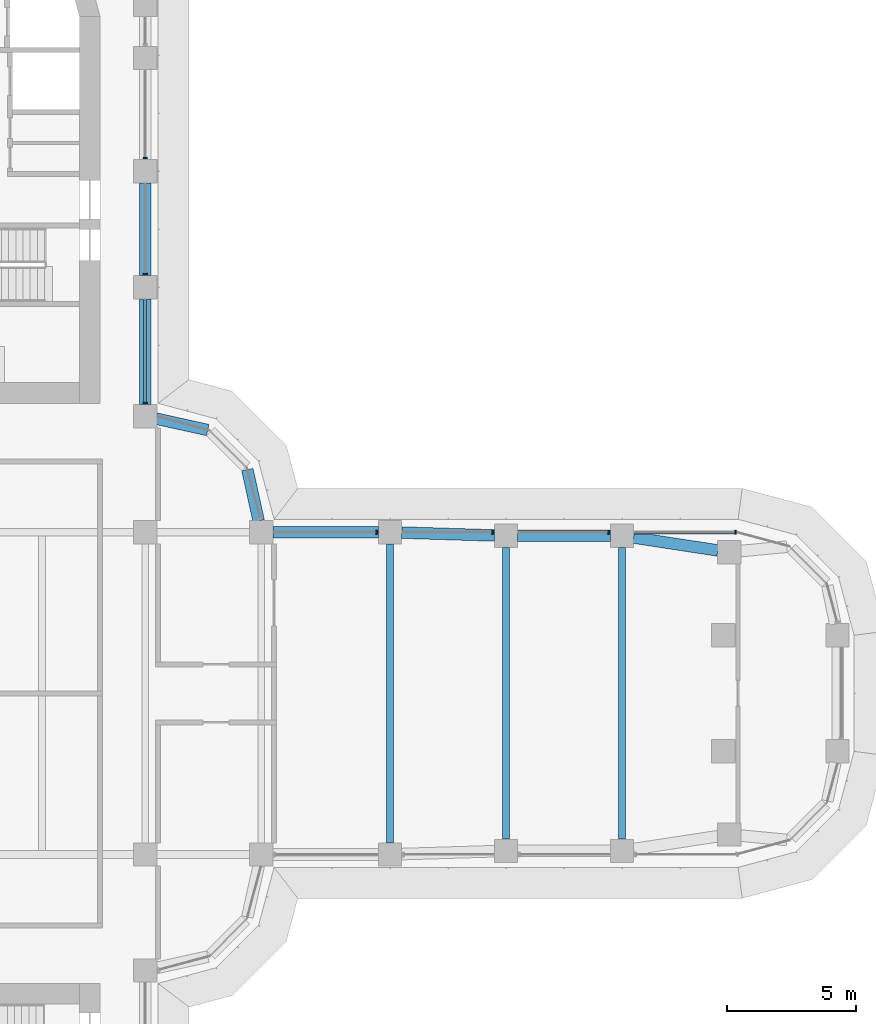
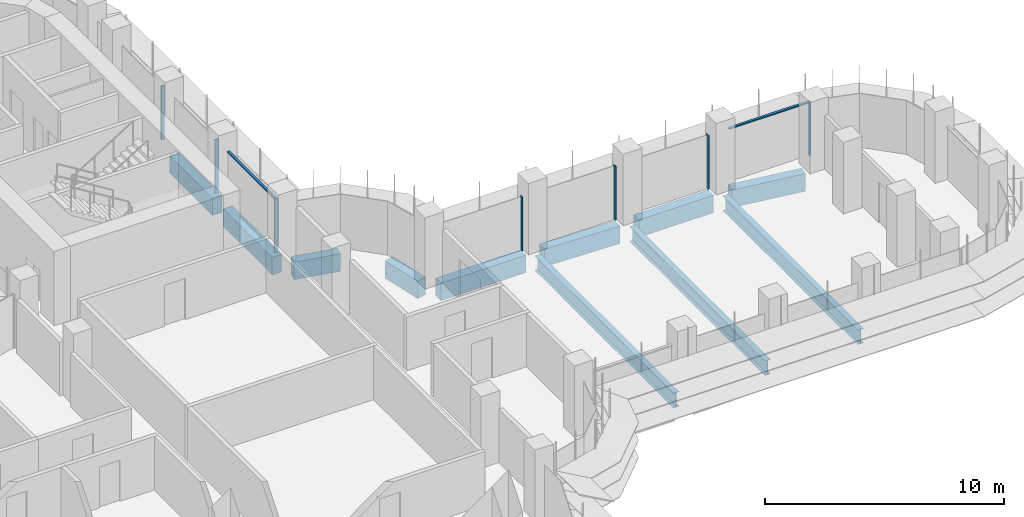
# One storey, part 8 of 21: 11 beams, 9 members, 2 elements without a shape of their own.
"""IFC4 building model written with IfcOpenShell, lengths in metres."""

from ifc_helpers import new_model, si_unit, direction, frame, origin, origin_2d, place, context, subcontext, project, spatial, polyline, rectangle, i_section, outline, extrude, source, transform, mapped, material, material_profile, profile_set, type_object, element, aggregate, save


model = new_model("IFC4")

# Units and contexts
model_context = context("Model", 3, precision=1e-05, world=origin(), true_north=direction((0.0, 1.0)))
body_context = subcontext(model_context, "Body", "Model", "MODEL_VIEW")
ifc_project = project(units=[si_unit("LENGTHUNIT", "METRE"), si_unit("AREAUNIT", "SQUARE_METRE"), si_unit("VOLUMEUNIT", "CUBIC_METRE"), si_unit("PLANEANGLEUNIT", "RADIAN"), si_unit("MASSUNIT", "GRAM", prefix="KILO")], contexts=[model_context])

# Site, building, storey
site_placement = place(None, origin())
site = spatial("IfcSite", under=ifc_project, at=site_placement, CompositionType="ELEMENT")
building_placement = place(site_placement, origin())
building = spatial("IfcBuilding", under=site, at=building_placement, Name="Zarbagh Exchange Tower", CompositionType="ELEMENT")
storey_placement = place(building_placement, frame((0.0, 0.0, 117.0)))
storey = spatial("IfcBuildingStorey", under=building, at=storey_placement, Name="L27", CompositionType="ELEMENT", Elevation=117.0)

# Beams
ifc_material_1 = material(Name="Steel ASTM A992 Gr 50", Category="steel")
ifc_material_profile_1 = material_profile(ifc_material_1, i_section(OverallWidth=0.2666015625, OverallDepth=0.7568359375, WebThickness=0.013916015625, FlangeThickness=0.019287109375, at=origin_2d()), Name="W30X108")
ifc_profile_set_1 = profile_set([ifc_material_profile_1], Name="Steel ASTM A992 Gr 50")
beam_type_1 = type_object("IfcBeamType", Name="Floor beam W30X108", PredefinedType="BEAM", material=ifc_profile_set_1)
beam_1_placement = place(storey_placement, frame((15.75, -5.800048828125, -0.5283203125), z_axis=(0.0, 1.0, 0.0), x_axis=(-1.0, 0.0, 0.0)))
element("IfcBeam", 1, at=beam_1_placement, inside=storey, type_object=beam_type_1, Name="Steel floor beam", PredefinedType="BEAM", context=body_context, shape_type="SweptSolid", body=[
    extrude(i_section(OverallWidth=0.2666015625, OverallDepth=0.7568359375, WebThickness=0.013916015625, FlangeThickness=0.019287109375, at=origin_2d()), origin(), (0.0, 0.0, 1.0), 11.60009765625),
])
for number, where, z_axis, x_axis, name in (
    (2, (20.25, -5.659912109375, -0.5283203125), (0.0, 1.0, 0.0), (-1.0, 0.0, 0.0), "Steel floor beam"),
    (3, (24.75, -5.659912109375, -0.5283203125), (0.0, 1.0, 0.0), (-1.0, 0.0, 0.0), "Steel floor beam"),
):
    element("IfcBeam", number, at=place(storey_placement, frame(where, z_axis=z_axis, x_axis=x_axis)), inside=storey, type_object=beam_type_1, Name=name, PredefinedType="BEAM", context=body_context, shape_type="SweptSolid", body=[
        extrude(i_section(OverallWidth=0.2666015625, OverallDepth=0.7568359375, WebThickness=0.013916015625, FlangeThickness=0.019287109375, at=origin_2d()), origin(), (0.0, 0.0, 1.0), 11.31982421875),
    ])
ifc_material_2 = material(Name="Concrete C60/75", Category="concrete")
ifc_material_profile_2 = material_profile(ifc_material_2, rectangle(XDim=0.449951171875, YDim=0.89990234375, at=origin_2d()), Name="RC spandrel beam 450 x 900 C60/75")
ifc_profile_set_2 = profile_set([ifc_material_profile_2], Name="Concrete C60/75")
beam_type_2 = type_object("IfcBeamType", Name="RC spandrel beam 450 x 900 C60/75", PredefinedType="SPANDREL", material=ifc_profile_set_2)
beam_2_placement = place(storey_placement, frame((6.25, 19.800048828125, -0.60009765625), z_axis=(0.0, -1.0, 0.0), x_axis=(1.0, 0.0, 0.0)))
element("IfcBeam", 4, at=beam_2_placement, inside=storey, type_object=beam_type_2, Name="RC spandrel beam", PredefinedType="SPANDREL", context=body_context, shape_type="SweptSolid", body=[
    extrude(rectangle(XDim=0.449951171875, YDim=0.89990234375, at=origin_2d()), origin(), (0.0, 0.0, 1.0), 3.60009765625),
])
beam_3_placement = place(storey_placement, frame((6.25, 15.300048828125, -0.60009765625), z_axis=(0.0, -1.0, 0.0), x_axis=(1.0, 0.0, 0.0)))
element("IfcBeam", 5, at=beam_3_placement, inside=storey, type_object=beam_type_2, Name="RC spandrel beam", PredefinedType="SPANDREL", context=body_context, shape_type="SweptSolid", body=[
    extrude(rectangle(XDim=0.449951171875, YDim=0.89990234375, at=origin_2d()), origin(), (0.0, 0.0, 1.0), 4.10009765625),
])
for number, where, z_axis, x_axis, name in (
    (6, (6.689453125, 10.65283203125, -0.60009765625), (0.976367325525, -0.216117666208, 0.0), (0.216117666208, 0.976367325525, 0.0), "RC spandrel beam"),
    (7, (10.212890625, 8.677001953125, -0.60009765625), (0.216117666208, -0.976367325525, 0.0), (0.976367325525, 0.216117666208, 0.0), "RC spandrel beam"),
):
    element("IfcBeam", number, at=place(storey_placement, frame(where, z_axis=z_axis, x_axis=x_axis)), inside=storey, type_object=beam_type_2, Name=name, PredefinedType="SPANDREL", context=body_context, shape_type="SweptSolid", body=[
        extrude(rectangle(XDim=0.449951171875, YDim=0.89990234375, at=origin_2d()), origin(), (0.0, 0.0, 1.0), 2.03564453125),
    ])
beam_4_placement = place(storey_placement, frame((11.199951171875, 6.25, -0.60009765625), z_axis=(1.0, 0.0, 0.0), x_axis=(0.0, 1.0, 0.0)))
element("IfcBeam", 8, at=beam_4_placement, inside=storey, type_object=beam_type_2, Name="RC spandrel beam", PredefinedType="SPANDREL", context=body_context, shape_type="SweptSolid", body=[
    extrude(rectangle(XDim=0.449951171875, YDim=0.89990234375, at=origin_2d()), origin(), (0.0, 0.0, 1.0), 4.10009765625),
])
beam_5_placement = place(storey_placement, frame((16.19970703125, 6.236083984375, -0.60009765625), z_axis=(0.999516035224, -0.031107801747, 0.0), x_axis=(0.031107801747, 0.999516035224, 0.0)))
element("IfcBeam", 9, at=beam_5_placement, inside=storey, type_object=beam_type_2, Name="RC spandrel beam", PredefinedType="SPANDREL", context=body_context, shape_type="SweptSolid", body=[
    extrude(rectangle(XDim=0.449951171875, YDim=0.89990234375, at=origin_2d()), origin(), (0.0, 0.0, 1.0), 3.602294921875),
])
beam_6_placement = place(storey_placement, frame((20.699951171875, 6.110107421875, -0.60009765625), z_axis=(1.0, 0.0, 0.0), x_axis=(0.0, 1.0, 0.0)))
element("IfcBeam", 10, at=beam_6_placement, inside=storey, type_object=beam_type_2, Name="RC spandrel beam", PredefinedType="SPANDREL", context=body_context, shape_type="SweptSolid", body=[
    extrude(rectangle(XDim=0.449951171875, YDim=0.89990234375, at=origin_2d()), origin(), (0.0, 0.0, 1.0), 3.60009765625),
])
beam_7_placement = place(storey_placement, frame((25.19482421875, 6.0419921875, -0.60009765625), z_axis=(0.988543505948, -0.150936201252, 0.0), x_axis=(0.150936201252, 0.988543505948, 0.0)))
element("IfcBeam", 11, at=beam_7_placement, inside=storey, type_object=beam_type_2, Name="RC spandrel beam", PredefinedType="SPANDREL", context=body_context, shape_type="SweptSolid", body=[
    extrude(rectangle(XDim=0.449951171875, YDim=0.89990234375, at=origin_2d()), origin(), (0.0, 0.0, 1.0), 3.30615234375),
])

# Curtain wall, members
ifc_material_3 = material(Name="Anodised aluminium frame and glazing", Category="aluminium")
curtain_wall_type = type_object("IfcCurtainWallType", Name="CWA Ribbon glazing, lower zones", PredefinedType="NOTDEFINED", material=ifc_material_3)
curtain_wall_1_placement = place(storey_placement, origin())
curtain_wall_1 = element("IfcCurtainWall", 12, at=curtain_wall_1_placement, inside=storey, type_object=curtain_wall_type, Name="CWA16 curtain wall", PredefinedType="NOTDEFINED")
ifc_material_4 = material(Name="Anodised aluminium frame", Category="aluminium")
member_type_1 = type_object("IfcMemberType", Name="MUA Mullion, anodised aluminium frame", PredefinedType="MULLION", material=ifc_material_4)
shared_shape_1 = source(origin(), body_context, "Body", "SweptSolid", [
    extrude(outline(polyline([(0.0, -0.080078125), (0.06005859375, -0.080078125), (0.06005859375, 0.080078125), (0.0, 0.080078125), (0.0, -0.080078125)])), origin(), (0.0, 0.0, 1.0), 2.75),
])
placement = place(storey_placement, origin())
member_1 = element("IfcMember", 13, at=placement, type_object=member_type_1, Name="CWA16 mullion 1.1", PredefinedType="MULLION", context=body_context, shape_type="MappedRepresentation", body=[
    mapped(shared_shape_1, transform((29.18408203125, 6.25, 0.0), x_axis=(-1.0, 0.0, 0.0), y_axis=(0.0, -1.0, 0.0), z_axis=(0.0, 0.0, 1.0))),
])
member_2 = element("IfcMember", 14, at=placement, type_object=member_type_1, Name="CWA16 mullion 2.1", PredefinedType="MULLION", context=body_context, shape_type="MappedRepresentation", body=[
    mapped(shared_shape_1, transform((24.260009765625, 6.25, 0.0), x_axis=(-1.0, 0.0, 0.0), y_axis=(0.0, -1.0, 0.0), z_axis=(0.0, 0.0, 1.0))),
])
member_3 = element("IfcMember", 15, at=placement, type_object=member_type_1, Name="CWA16 mullion 3.1", PredefinedType="MULLION", context=body_context, shape_type="MappedRepresentation", body=[
    mapped(shared_shape_1, transform((19.760009765625, 6.25, 0.0), x_axis=(-1.0, 0.0, 0.0), y_axis=(0.0, -1.0, 0.0), z_axis=(0.0, 0.0, 1.0))),
])
member_4 = element("IfcMember", 16, at=placement, type_object=member_type_1, Name="CWA16 mullion 4.1", PredefinedType="MULLION", context=body_context, shape_type="MappedRepresentation", body=[
    mapped(shared_shape_1, transform((15.260009765625, 6.25, 0.0), x_axis=(-1.0, 0.0, 0.0), y_axis=(0.0, -1.0, 0.0), z_axis=(0.0, 0.0, 1.0))),
])

curtain_wall_2_placement = place(storey_placement, origin())
curtain_wall_2 = element("IfcCurtainWall", 17, at=curtain_wall_2_placement, inside=storey, type_object=curtain_wall_type, Name="CWA49 curtain wall", PredefinedType="NOTDEFINED")
member_5 = element("IfcMember", 18, at=placement, type_object=member_type_1, Name="CWA49 mullion 1.1", PredefinedType="MULLION", context=body_context, shape_type="MappedRepresentation", body=[
    mapped(shared_shape_1, transform((6.25, 11.239990234375, 0.0), x_axis=(0.0, 1.0, 0.0), y_axis=(-1.0, 0.0, 0.0), z_axis=(0.0, 0.0, 1.0))),
])
member_6 = element("IfcMember", 19, at=placement, type_object=member_type_1, Name="CWA49 mullion 2.1", PredefinedType="MULLION", context=body_context, shape_type="MappedRepresentation", body=[
    mapped(shared_shape_1, transform((6.25, 16.239990234375, 0.0), x_axis=(0.0, 1.0, 0.0), y_axis=(-1.0, 0.0, 0.0), z_axis=(0.0, 0.0, 1.0))),
])
member_7 = element("IfcMember", 20, at=placement, type_object=member_type_1, Name="CWA49 mullion 3.1", PredefinedType="MULLION", context=body_context, shape_type="MappedRepresentation", body=[
    mapped(shared_shape_1, transform((6.25, 20.739990234375, 0.0), x_axis=(0.0, 1.0, 0.0), y_axis=(-1.0, 0.0, 0.0), z_axis=(0.0, 0.0, 1.0))),
])
member_type_2 = type_object("IfcMemberType", Name="TRA Transom, anodised aluminium frame", PredefinedType="USERDEFINED", material=ifc_material_4)
shared_shape_2 = source(origin(), body_context, "Body", "SweptSolid", [
    extrude(outline(polyline([(-0.06005859375, -0.06005859375), (0.0, -0.06005859375), (0.0, 0.06005859375), (-0.06005859375, 0.06005859375), (-0.06005859375, -0.06005859375)])), origin(), (0.0, 0.0, 1.0), 3.9599609375),
])
member_8 = element("IfcMember", 21, at=placement, type_object=member_type_2, Name="CWA49 transom 1.1", ObjectType="TRANSOM", PredefinedType="USERDEFINED", context=body_context, shape_type="MappedRepresentation", body=[
    mapped(shared_shape_2, transform((6.25, 11.300048828125, 2.75), x_axis=(0.0, 0.0, 1.0), y_axis=(1.0, 0.0, 0.0), z_axis=(0.0, 1.0, 0.0))),
])
aggregate(curtain_wall_2, [member_5, member_8, member_6, member_7])

# Member
shared_shape_3 = source(origin(), body_context, "Body", "SweptSolid", [
    extrude(outline(polyline([(-0.06005859375, -0.06005859375), (0.0, -0.06005859375), (0.0, 0.06005859375), (-0.06005859375, 0.06005859375), (-0.06005859375, -0.06005859375)])), origin(), (0.0, 0.0, 1.0), 3.88427734375),
])
member_9 = element("IfcMember", 22, at=placement, type_object=member_type_2, Name="CWA16 transom 1.1", ObjectType="TRANSOM", PredefinedType="USERDEFINED", context=body_context, shape_type="MappedRepresentation", body=[
    mapped(shared_shape_3, transform((29.124267578125, 6.25, 2.75), x_axis=(0.0, 0.0, 1.0), y_axis=(0.0, 1.0, 0.0), z_axis=(-1.0, 0.0, 0.0))),
])

aggregate(curtain_wall_1, [member_1, member_9, member_2, member_3, member_4])

save(model, "model.ifc")
